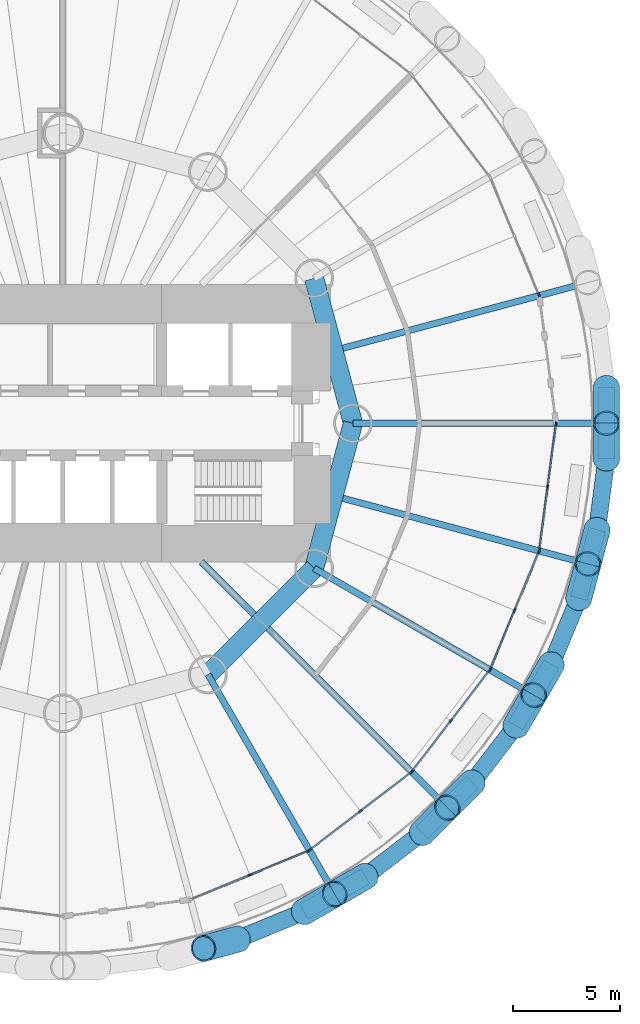
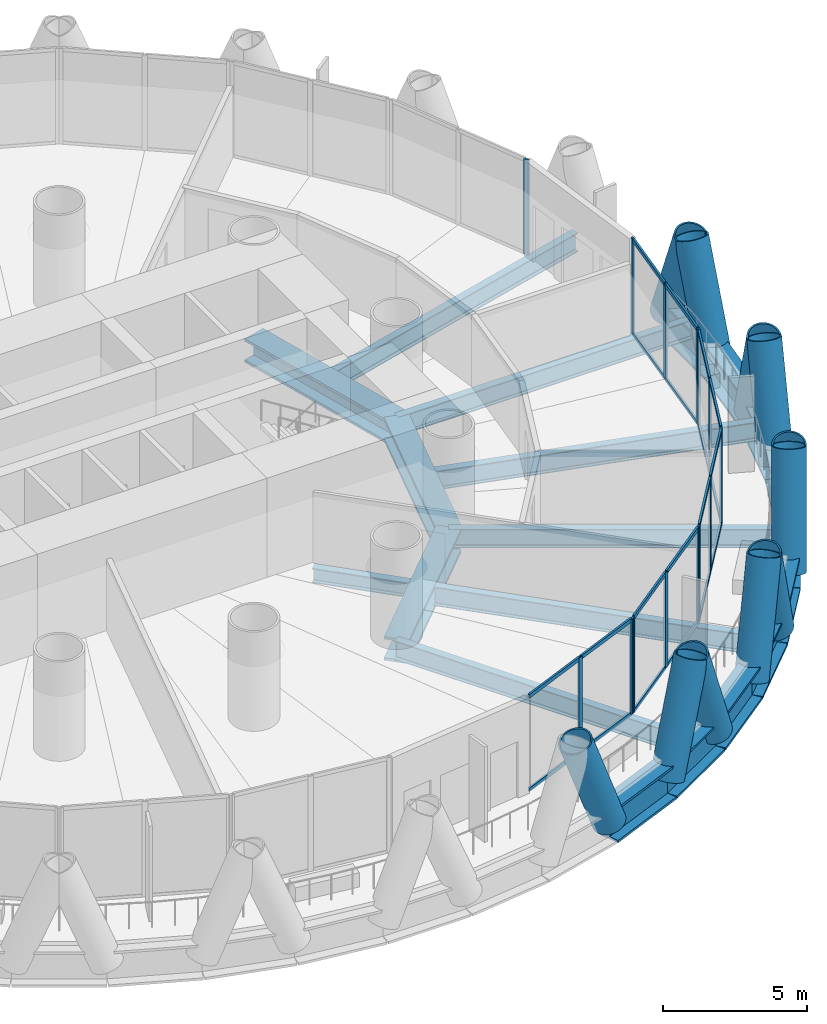
# One storey, part 4 of 16: 46 members, 20 beams, 6 elements without a shape of their own.
"""IFC4 building model written with IfcOpenShell, lengths in metres."""

from ifc_helpers import new_model, si_unit, direction, frame, origin, origin_2d, place, context, subcontext, project, spatial, rectangle, hollow_circle, i_section, extrude, material, material_profile, profile_set, type_object, element, aggregate, save


model = new_model("IFC4")

# Units and contexts
model_context = context("Model", 3, precision=1e-05, world=origin(), true_north=direction((0.0, 1.0)))
body_context = subcontext(model_context, "Body", "Model", "MODEL_VIEW")
ifc_project = project(units=[si_unit("LENGTHUNIT", "METRE"), si_unit("AREAUNIT", "SQUARE_METRE"), si_unit("VOLUMEUNIT", "CUBIC_METRE"), si_unit("PLANEANGLEUNIT", "RADIAN"), si_unit("MASSUNIT", "GRAM", prefix="KILO")], contexts=[model_context])

# Site, building, storey
site_placement = place(None, origin())
site = spatial("IfcSite", under=ifc_project, at=site_placement, CompositionType="ELEMENT")
building_placement = place(site_placement, origin())
building = spatial("IfcBuilding", under=site, at=building_placement, Name="Qaws Media Tower", CompositionType="ELEMENT")
storey_placement = place(building_placement, frame((0.0, 0.0, 105.800048828125)))
storey = spatial("IfcBuildingStorey", under=building, at=storey_placement, Name="L23", CompositionType="ELEMENT", Elevation=105.800048828125)

# Curtain wall, member
ifc_material_1 = material(Name="Aluminium and clear glass", Category="aluminium")
curtain_wall_type = type_object("IfcCurtainWallType", Name="Unitised curtain wall CW-B", PredefinedType="NOTDEFINED", material=ifc_material_1)
curtain_wall_1_placement = place(storey_placement, origin())
curtain_wall_1 = element("IfcCurtainWall", 1, at=curtain_wall_1_placement, inside=storey, type_object=curtain_wall_type, Name="CWB curtain wall L23-02", PredefinedType="NOTDEFINED")
ifc_material_2 = material(Name="Aluminium mullion", Category="aluminium")
ifc_material_profile_1 = material_profile(ifc_material_2, rectangle(XDim=0.080078125, YDim=0.199951171875, at=origin_2d()), Name="80x200")
ifc_profile_set_1 = profile_set([ifc_material_profile_1], Name="Aluminium mullion")
member_type_1 = type_object("IfcMemberType", Name="Curtain wall mullion 80x200", PredefinedType="MULLION", material=ifc_profile_set_1)
member_1_placement = place(storey_placement, frame((82.152587890625, 55.976806640625, 0.0), z_axis=(0.0, 0.0, 1.0), x_axis=(-0.923879516682, -0.382683470581, 0.0)))
member_1 = element("IfcMember", 2, at=member_1_placement, type_object=member_type_1, Name="CWB mullion 1", PredefinedType="MULLION", context=body_context, shape_type="SweptSolid", body=[
    extrude(rectangle(XDim=0.080078125, YDim=0.199951171875, at=origin_2d()), origin(), (0.0, 0.0, 1.0), 4.0400390625),
])
aggregate(curtain_wall_1, [member_1])

# Curtain wall, members
curtain_wall_2_placement = place(storey_placement, origin())
curtain_wall_2 = element("IfcCurtainWall", 3, at=curtain_wall_2_placement, inside=storey, type_object=curtain_wall_type, Name="CWB curtain wall L23-20", PredefinedType="NOTDEFINED")
member_2_placement = place(storey_placement, frame((68.70751953125, 28.978271484375, 0.0), z_axis=(0.0, 0.0, 1.0), x_axis=(-0.382683470581, 0.923879516682, 0.0)))
member_2 = element("IfcMember", 4, at=member_2_placement, type_object=member_type_1, Name="CWB mullion 2", PredefinedType="MULLION", context=body_context, shape_type="SweptSolid", body=[
    extrude(rectangle(XDim=0.080078125, YDim=0.199951171875, at=origin_2d()), origin(), (0.0, 0.0, 1.0), 4.0400390625),
])
member_3_placement = place(storey_placement, frame((71.43798828125, 30.109375, 0.0), z_axis=(0.0, 0.0, 1.0), x_axis=(-0.382683470581, 0.923879516682, 0.0)))
member_3 = element("IfcMember", 5, at=member_3_placement, type_object=member_type_1, Name="CWB mullion 3", PredefinedType="MULLION", context=body_context, shape_type="SweptSolid", body=[
    extrude(rectangle(XDim=0.080078125, YDim=0.199951171875, at=origin_2d()), origin(), (0.0, 0.0, 1.0), 4.0400390625),
])

curtain_wall_3_placement = place(storey_placement, origin())
curtain_wall_3 = element("IfcCurtainWall", 6, at=curtain_wall_3_placement, inside=storey, type_object=curtain_wall_type, Name="CWB curtain wall L23-21", PredefinedType="NOTDEFINED")
member_4_placement = place(storey_placement, frame((71.5068359375, 30.149169921875, 0.0), z_axis=(0.0, 0.0, 1.0), x_axis=(-0.608761358211, 0.793353394616, 0.0)))
member_4 = element("IfcMember", 7, at=member_4_placement, type_object=member_type_1, Name="CWB mullion 1", PredefinedType="MULLION", context=body_context, shape_type="SweptSolid", body=[
    extrude(rectangle(XDim=0.080078125, YDim=0.199951171875, at=origin_2d()), origin(), (0.0, 0.0, 1.0), 4.0400390625),
])
member_5_placement = place(storey_placement, frame((73.8515625, 31.9482421875, 0.0), z_axis=(0.0, 0.0, 1.0), x_axis=(-0.608761358211, 0.793353394616, 0.0)))
member_5 = element("IfcMember", 8, at=member_5_placement, type_object=member_type_1, Name="CWB mullion 2", PredefinedType="MULLION", context=body_context, shape_type="SweptSolid", body=[
    extrude(rectangle(XDim=0.080078125, YDim=0.199951171875, at=origin_2d()), origin(), (0.0, 0.0, 1.0), 4.0400390625),
])
member_6_placement = place(storey_placement, frame((76.1962890625, 33.74755859375, 0.0), z_axis=(0.0, 0.0, 1.0), x_axis=(-0.608761358211, 0.793353394616, 0.0)))
member_6 = element("IfcMember", 9, at=member_6_placement, type_object=member_type_1, Name="CWB mullion 3", PredefinedType="MULLION", context=body_context, shape_type="SweptSolid", body=[
    extrude(rectangle(XDim=0.080078125, YDim=0.199951171875, at=origin_2d()), origin(), (0.0, 0.0, 1.0), 4.0400390625),
])

curtain_wall_4_placement = place(storey_placement, origin())
curtain_wall_4 = element("IfcCurtainWall", 10, at=curtain_wall_4_placement, inside=storey, type_object=curtain_wall_type, Name="CWB curtain wall L23-22", PredefinedType="NOTDEFINED")
member_7_placement = place(storey_placement, frame((76.25244140625, 33.8037109375, 0.0), z_axis=(0.0, 0.0, 1.0), x_axis=(-0.793353394616, 0.608761358211, 0.0)))
member_7 = element("IfcMember", 11, at=member_7_placement, type_object=member_type_1, Name="CWB mullion 1", PredefinedType="MULLION", context=body_context, shape_type="SweptSolid", body=[
    extrude(rectangle(XDim=0.080078125, YDim=0.199951171875, at=origin_2d()), origin(), (0.0, 0.0, 1.0), 4.0400390625),
])
member_8_placement = place(storey_placement, frame((78.0517578125, 36.1484375, 0.0), z_axis=(0.0, 0.0, 1.0), x_axis=(-0.793353394616, 0.608761358211, 0.0)))
member_8 = element("IfcMember", 12, at=member_8_placement, type_object=member_type_1, Name="CWB mullion 2", PredefinedType="MULLION", context=body_context, shape_type="SweptSolid", body=[
    extrude(rectangle(XDim=0.080078125, YDim=0.199951171875, at=origin_2d()), origin(), (0.0, 0.0, 1.0), 4.0400390625),
])
member_9_placement = place(storey_placement, frame((79.850830078125, 38.4931640625, 0.0), z_axis=(0.0, 0.0, 1.0), x_axis=(-0.793353394616, 0.608761358211, 0.0)))
member_9 = element("IfcMember", 13, at=member_9_placement, type_object=member_type_1, Name="CWB mullion 3", PredefinedType="MULLION", context=body_context, shape_type="SweptSolid", body=[
    extrude(rectangle(XDim=0.080078125, YDim=0.199951171875, at=origin_2d()), origin(), (0.0, 0.0, 1.0), 4.0400390625),
])

curtain_wall_5_placement = place(storey_placement, origin())
curtain_wall_5 = element("IfcCurtainWall", 14, at=curtain_wall_5_placement, inside=storey, type_object=curtain_wall_type, Name="CWB curtain wall L23-23", PredefinedType="NOTDEFINED")
member_10_placement = place(storey_placement, frame((79.890625, 38.56201171875, 0.0), z_axis=(0.0, 0.0, 1.0), x_axis=(-0.923879516682, 0.382683470581, 0.0)))
member_10 = element("IfcMember", 15, at=member_10_placement, type_object=member_type_1, Name="CWB mullion 1", PredefinedType="MULLION", context=body_context, shape_type="SweptSolid", body=[
    extrude(rectangle(XDim=0.080078125, YDim=0.199951171875, at=origin_2d()), origin(), (0.0, 0.0, 1.0), 4.0400390625),
])
member_11_placement = place(storey_placement, frame((81.021728515625, 41.29248046875, 0.0), z_axis=(0.0, 0.0, 1.0), x_axis=(-0.923879516682, 0.382683470581, 0.0)))
member_11 = element("IfcMember", 16, at=member_11_placement, type_object=member_type_1, Name="CWB mullion 2", PredefinedType="MULLION", context=body_context, shape_type="SweptSolid", body=[
    extrude(rectangle(XDim=0.080078125, YDim=0.199951171875, at=origin_2d()), origin(), (0.0, 0.0, 1.0), 4.0400390625),
])
member_12_placement = place(storey_placement, frame((82.152587890625, 44.023193359375, 0.0), z_axis=(0.0, 0.0, 1.0), x_axis=(-0.923879516682, 0.382683470581, 0.0)))
member_12 = element("IfcMember", 17, at=member_12_placement, type_object=member_type_1, Name="CWB mullion 3", PredefinedType="MULLION", context=body_context, shape_type="SweptSolid", body=[
    extrude(rectangle(XDim=0.080078125, YDim=0.199951171875, at=origin_2d()), origin(), (0.0, 0.0, 1.0), 4.0400390625),
])

curtain_wall_6_placement = place(storey_placement, origin())
curtain_wall_6 = element("IfcCurtainWall", 18, at=curtain_wall_6_placement, inside=storey, type_object=curtain_wall_type, Name="CWB curtain wall L23-24", PredefinedType="NOTDEFINED")
member_13_placement = place(storey_placement, frame((82.17333984375, 44.099853515625, 0.0), z_axis=(0.0, 0.0, 1.0), x_axis=(-0.991444867324, 0.130526147022, 0.0)))
member_13 = element("IfcMember", 19, at=member_13_placement, type_object=member_type_1, Name="CWB mullion 1", PredefinedType="MULLION", context=body_context, shape_type="SweptSolid", body=[
    extrude(rectangle(XDim=0.080078125, YDim=0.199951171875, at=origin_2d()), origin(), (0.0, 0.0, 1.0), 4.0400390625),
])
member_14_placement = place(storey_placement, frame((82.55908203125, 47.030029296875, 0.0), z_axis=(0.0, 0.0, 1.0), x_axis=(-0.991444867324, 0.130526147022, 0.0)))
member_14 = element("IfcMember", 20, at=member_14_placement, type_object=member_type_1, Name="CWB mullion 2", PredefinedType="MULLION", context=body_context, shape_type="SweptSolid", body=[
    extrude(rectangle(XDim=0.080078125, YDim=0.199951171875, at=origin_2d()), origin(), (0.0, 0.0, 1.0), 4.0400390625),
])
member_15_placement = place(storey_placement, frame((82.94482421875, 49.96044921875, 0.0), z_axis=(0.0, 0.0, 1.0), x_axis=(-0.991444867324, 0.130526147022, 0.0)))
member_15 = element("IfcMember", 21, at=member_15_placement, type_object=member_type_1, Name="CWB mullion 3", PredefinedType="MULLION", context=body_context, shape_type="SweptSolid", body=[
    extrude(rectangle(XDim=0.080078125, YDim=0.199951171875, at=origin_2d()), origin(), (0.0, 0.0, 1.0), 4.0400390625),
])

# Member
ifc_material_3 = material(Name="Aluminium transom", Category="aluminium")
ifc_material_profile_2 = material_profile(ifc_material_3, rectangle(XDim=0.080078125, YDim=0.159912109375, at=origin_2d()), Name="80x160")
ifc_profile_set_2 = profile_set([ifc_material_profile_2], Name="Aluminium transom")
member_type_2 = type_object("IfcMemberType", Name="Curtain wall transom 80x160", PredefinedType="USERDEFINED", material=ifc_profile_set_2)
member_16_placement = place(storey_placement, frame((66.013916015625, 27.862548828125, 0.0400390625), z_axis=(0.92385124577, 0.382751715461, 0.0), x_axis=(-0.382751715461, 0.92385124577, 0.0)))
member_16 = element("IfcMember", 22, at=member_16_placement, type_object=member_type_2, Name="CWB transom 1.1", ObjectType="TRANSOM", PredefinedType="USERDEFINED", context=body_context, shape_type="SweptSolid", body=[
    extrude(rectangle(XDim=0.080078125, YDim=0.159912109375, at=origin_2d()), origin(), (0.0, 0.0, 1.0), 2.87548828125),
])

member_17_placement = place(storey_placement, frame((66.013916015625, 27.862548828125, 4.0), z_axis=(0.92385124577, 0.382751715461, 0.0), x_axis=(-0.382751715461, 0.92385124577, 0.0)))
member_17 = element("IfcMember", 23, at=member_17_placement, type_object=member_type_2, Name="CWB transom 1.2", ObjectType="TRANSOM", PredefinedType="USERDEFINED", context=body_context, shape_type="SweptSolid", body=[
    extrude(rectangle(XDim=0.080078125, YDim=0.159912109375, at=origin_2d()), origin(), (0.0, 0.0, 1.0), 2.87548828125),
])

member_18_placement = place(storey_placement, frame((68.744384765625, 28.99365234375, 0.0400390625), z_axis=(0.923893699507, 0.382649228421, 0.0), x_axis=(-0.382649228421, 0.923893699507, 0.0)))
member_18 = element("IfcMember", 24, at=member_18_placement, type_object=member_type_2, Name="CWB transom 2.1", ObjectType="TRANSOM", PredefinedType="USERDEFINED", context=body_context, shape_type="SweptSolid", body=[
    extrude(rectangle(XDim=0.080078125, YDim=0.159912109375, at=origin_2d()), origin(), (0.0, 0.0, 1.0), 2.87548828125),
])

member_19_placement = place(storey_placement, frame((68.744384765625, 28.99365234375, 4.0), z_axis=(0.923893699507, 0.382649228421, 0.0), x_axis=(-0.382649228421, 0.923893699507, 0.0)))
member_19 = element("IfcMember", 25, at=member_19_placement, type_object=member_type_2, Name="CWB transom 2.2", ObjectType="TRANSOM", PredefinedType="USERDEFINED", context=body_context, shape_type="SweptSolid", body=[
    extrude(rectangle(XDim=0.080078125, YDim=0.159912109375, at=origin_2d()), origin(), (0.0, 0.0, 1.0), 2.87548828125),
])

aggregate(curtain_wall_2, [member_2, member_3, member_16, member_17, member_18, member_19])

member_20_placement = place(storey_placement, frame((71.53857421875, 30.17333984375, 0.0400390625), z_axis=(0.793308372478, 0.608820027723, 0.0), x_axis=(-0.608820027723, 0.793308372478, 0.0)))
member_20 = element("IfcMember", 26, at=member_20_placement, type_object=member_type_2, Name="CWB transom 1.1", ObjectType="TRANSOM", PredefinedType="USERDEFINED", context=body_context, shape_type="SweptSolid", body=[
    extrude(rectangle(XDim=0.080078125, YDim=0.159912109375, at=origin_2d()), origin(), (0.0, 0.0, 1.0), 2.875732421875),
])

member_21_placement = place(storey_placement, frame((71.53857421875, 30.17333984375, 4.0), z_axis=(0.793308372478, 0.608820027723, 0.0), x_axis=(-0.608820027723, 0.793308372478, 0.0)))
member_21 = element("IfcMember", 27, at=member_21_placement, type_object=member_type_2, Name="CWB transom 1.2", ObjectType="TRANSOM", PredefinedType="USERDEFINED", context=body_context, shape_type="SweptSolid", body=[
    extrude(rectangle(XDim=0.080078125, YDim=0.159912109375, at=origin_2d()), origin(), (0.0, 0.0, 1.0), 2.875732421875),
])

member_22_placement = place(storey_placement, frame((73.88330078125, 31.97265625, 0.0400390625), z_axis=(0.793349378115, 0.608766592582, 0.0), x_axis=(-0.608766592582, 0.793349378115, 0.0)))
member_22 = element("IfcMember", 28, at=member_22_placement, type_object=member_type_2, Name="CWB transom 2.1", ObjectType="TRANSOM", PredefinedType="USERDEFINED", context=body_context, shape_type="SweptSolid", body=[
    extrude(rectangle(XDim=0.080078125, YDim=0.159912109375, at=origin_2d()), origin(), (0.0, 0.0, 1.0), 2.87548828125),
])

member_23_placement = place(storey_placement, frame((73.88330078125, 31.97265625, 4.0), z_axis=(0.793349378115, 0.608766592582, 0.0), x_axis=(-0.608766592582, 0.793349378115, 0.0)))
member_23 = element("IfcMember", 29, at=member_23_placement, type_object=member_type_2, Name="CWB transom 2.2", ObjectType="TRANSOM", PredefinedType="USERDEFINED", context=body_context, shape_type="SweptSolid", body=[
    extrude(rectangle(XDim=0.080078125, YDim=0.159912109375, at=origin_2d()), origin(), (0.0, 0.0, 1.0), 2.87548828125),
])

aggregate(curtain_wall_3, [member_4, member_5, member_6, member_20, member_21, member_22, member_23])

member_24_placement = place(storey_placement, frame((76.27685546875, 33.83544921875, 0.0400390625), z_axis=(0.608766592582, 0.793349378115, 0.0), x_axis=(-0.793349378115, 0.608766592582, 0.0)))
member_24 = element("IfcMember", 30, at=member_24_placement, type_object=member_type_2, Name="CWB transom 1.1", ObjectType="TRANSOM", PredefinedType="USERDEFINED", context=body_context, shape_type="SweptSolid", body=[
    extrude(rectangle(XDim=0.080078125, YDim=0.159912109375, at=origin_2d()), origin(), (0.0, 0.0, 1.0), 2.87548828125),
])

member_25_placement = place(storey_placement, frame((76.27685546875, 33.83544921875, 4.0), z_axis=(0.608766592582, 0.793349378115, 0.0), x_axis=(-0.793349378115, 0.608766592582, 0.0)))
member_25 = element("IfcMember", 31, at=member_25_placement, type_object=member_type_2, Name="CWB transom 1.2", ObjectType="TRANSOM", PredefinedType="USERDEFINED", context=body_context, shape_type="SweptSolid", body=[
    extrude(rectangle(XDim=0.080078125, YDim=0.159912109375, at=origin_2d()), origin(), (0.0, 0.0, 1.0), 2.87548828125),
])

member_26_placement = place(storey_placement, frame((78.075927734375, 36.18017578125, 0.0400390625), z_axis=(0.608820027723, 0.793308372478, 0.0), x_axis=(-0.793308372478, 0.608820027723, 0.0)))
member_26 = element("IfcMember", 32, at=member_26_placement, type_object=member_type_2, Name="CWB transom 2.1", ObjectType="TRANSOM", PredefinedType="USERDEFINED", context=body_context, shape_type="SweptSolid", body=[
    extrude(rectangle(XDim=0.080078125, YDim=0.159912109375, at=origin_2d()), origin(), (0.0, 0.0, 1.0), 2.875732421875),
])

member_27_placement = place(storey_placement, frame((78.075927734375, 36.18017578125, 4.0), z_axis=(0.608820027723, 0.793308372478, 0.0), x_axis=(-0.793308372478, 0.608820027723, 0.0)))
member_27 = element("IfcMember", 33, at=member_27_placement, type_object=member_type_2, Name="CWB transom 2.2", ObjectType="TRANSOM", PredefinedType="USERDEFINED", context=body_context, shape_type="SweptSolid", body=[
    extrude(rectangle(XDim=0.080078125, YDim=0.159912109375, at=origin_2d()), origin(), (0.0, 0.0, 1.0), 2.875732421875),
])

aggregate(curtain_wall_4, [member_7, member_8, member_9, member_24, member_25, member_26, member_27])

member_28_placement = place(storey_placement, frame((79.906005859375, 38.598876953125, 0.0400390625), z_axis=(0.382649228421, 0.923893699507, 0.0), x_axis=(-0.923893699507, 0.382649228421, 0.0)))
member_28 = element("IfcMember", 34, at=member_28_placement, type_object=member_type_2, Name="CWB transom 1.1", ObjectType="TRANSOM", PredefinedType="USERDEFINED", context=body_context, shape_type="SweptSolid", body=[
    extrude(rectangle(XDim=0.080078125, YDim=0.159912109375, at=origin_2d()), origin(), (0.0, 0.0, 1.0), 2.87548828125),
])

member_29_placement = place(storey_placement, frame((79.906005859375, 38.598876953125, 4.0), z_axis=(0.382649228421, 0.923893699507, 0.0), x_axis=(-0.923893699507, 0.382649228421, 0.0)))
member_29 = element("IfcMember", 35, at=member_29_placement, type_object=member_type_2, Name="CWB transom 1.2", ObjectType="TRANSOM", PredefinedType="USERDEFINED", context=body_context, shape_type="SweptSolid", body=[
    extrude(rectangle(XDim=0.080078125, YDim=0.159912109375, at=origin_2d()), origin(), (0.0, 0.0, 1.0), 2.87548828125),
])

member_30_placement = place(storey_placement, frame((81.036865234375, 41.32958984375, 0.0400390625), z_axis=(0.382751715461, 0.92385124577, 0.0), x_axis=(-0.92385124577, 0.382751715461, 0.0)))
member_30 = element("IfcMember", 36, at=member_30_placement, type_object=member_type_2, Name="CWB transom 2.1", ObjectType="TRANSOM", PredefinedType="USERDEFINED", context=body_context, shape_type="SweptSolid", body=[
    extrude(rectangle(XDim=0.080078125, YDim=0.159912109375, at=origin_2d()), origin(), (0.0, 0.0, 1.0), 2.87548828125),
])

member_31_placement = place(storey_placement, frame((81.036865234375, 41.32958984375, 4.0), z_axis=(0.382751715461, 0.92385124577, 0.0), x_axis=(-0.92385124577, 0.382751715461, 0.0)))
member_31 = element("IfcMember", 37, at=member_31_placement, type_object=member_type_2, Name="CWB transom 2.2", ObjectType="TRANSOM", PredefinedType="USERDEFINED", context=body_context, shape_type="SweptSolid", body=[
    extrude(rectangle(XDim=0.080078125, YDim=0.159912109375, at=origin_2d()), origin(), (0.0, 0.0, 1.0), 2.87548828125),
])

aggregate(curtain_wall_5, [member_10, member_11, member_12, member_28, member_29, member_30, member_31])

member_32_placement = place(storey_placement, frame((82.178466796875, 44.139404296875, 0.0400390625), z_axis=(0.130489651052, 0.991449671425, 0.0), x_axis=(-0.991449671425, 0.130489651052, 0.0)))
member_32 = element("IfcMember", 38, at=member_32_placement, type_object=member_type_2, Name="CWB transom 1.1", ObjectType="TRANSOM", PredefinedType="USERDEFINED", context=body_context, shape_type="SweptSolid", body=[
    extrude(rectangle(XDim=0.080078125, YDim=0.159912109375, at=origin_2d()), origin(), (0.0, 0.0, 1.0), 2.875732421875),
])

member_33_placement = place(storey_placement, frame((82.178466796875, 44.139404296875, 4.0), z_axis=(0.130489651052, 0.991449671425, 0.0), x_axis=(-0.991449671425, 0.130489651052, 0.0)))
member_33 = element("IfcMember", 39, at=member_33_placement, type_object=member_type_2, Name="CWB transom 1.2", ObjectType="TRANSOM", PredefinedType="USERDEFINED", context=body_context, shape_type="SweptSolid", body=[
    extrude(rectangle(XDim=0.080078125, YDim=0.159912109375, at=origin_2d()), origin(), (0.0, 0.0, 1.0), 2.875732421875),
])

member_34_placement = place(storey_placement, frame((82.564208984375, 47.06982421875, 0.0400390625), z_axis=(0.130500635675, 0.991448225622, 0.0), x_axis=(-0.991448225622, 0.130500635675, 0.0)))
member_34 = element("IfcMember", 40, at=member_34_placement, type_object=member_type_2, Name="CWB transom 2.1", ObjectType="TRANSOM", PredefinedType="USERDEFINED", context=body_context, shape_type="SweptSolid", body=[
    extrude(rectangle(XDim=0.080078125, YDim=0.159912109375, at=origin_2d()), origin(), (0.0, 0.0, 1.0), 2.87548828125),
])

member_35_placement = place(storey_placement, frame((82.564208984375, 47.06982421875, 4.0), z_axis=(0.130500635675, 0.991448225622, 0.0), x_axis=(-0.991448225622, 0.130500635675, 0.0)))
member_35 = element("IfcMember", 41, at=member_35_placement, type_object=member_type_2, Name="CWB transom 2.2", ObjectType="TRANSOM", PredefinedType="USERDEFINED", context=body_context, shape_type="SweptSolid", body=[
    extrude(rectangle(XDim=0.080078125, YDim=0.159912109375, at=origin_2d()), origin(), (0.0, 0.0, 1.0), 2.87548828125),
])

aggregate(curtain_wall_6, [member_13, member_14, member_15, member_32, member_33, member_34, member_35])

# Members
ifc_material_4 = material(Name="Steel S460", Category="steel")
ifc_material_profile_3 = material_profile(ifc_material_4, hollow_circle(Radius=0.609619140625, WallThickness=0.06005859375, at=origin_2d()), Name="CHS 1219x60")
ifc_profile_set_3 = profile_set([ifc_material_profile_3], Name="Steel S460")
member_type_3 = type_object("IfcMemberType", Name="Diagrid member CHS 1219x60", PredefinedType="USERDEFINED", material=ifc_profile_set_3)
for number, where, z_axis, x_axis, name in (
    (42, (85.295654296875, 51.657958984375, -0.91015625), (0.000973192487, -0.367163898888, 0.930155752683), (0.999996487266, 0.002650557616, 0.0), "DG1 diagrid L23 B01"),
    (43, (71.2119140625, 27.26416015625, -0.91015625), (0.318447761957, 0.18279658458, 0.930148607251), (-0.49783470429, 0.867271933827, 0.0), "DG1 diagrid L23 A20"),
    (44, (68.1484375, 25.995361328125, -0.91015625), (-0.354403929954, -0.095967502009, 0.930154875809), (0.261372603831, -0.965237982037, 0.0), "DG1 diagrid L23 B20"),
    (45, (76.71435546875, 30.94091796875, -0.91015625), (0.260328708359, 0.2589229874, 0.930154745298), (-0.705189913789, 0.709018466255, 0.0), "DG1 diagrid L23 A21"),
    (46, (74.083740234375, 28.92236328125, -0.91015625), (-0.317526884372, -0.184417538326, 0.930143456279), (0.502231420014, -0.864733254102, 0.0), "DG1 diagrid L23 B21"),
    (47, (81.07763671875, 35.916259765625, -0.91015625), (0.184417538326, 0.317526884372, 0.930143456279), (-0.864733254102, 0.502231420014, 0.0), "DG1 diagrid L23 A22"),
    (48, (79.05908203125, 33.28564453125, -0.91015625), (-0.2589229874, -0.260328708359, 0.930154745298), (0.709018466255, -0.705189913789, 0.0), "DG1 diagrid L23 B22"),
    (49, (84.004638671875, 41.8515625, -0.91015625), (0.095967502009, 0.354403929954, 0.930154875809), (-0.965237982037, 0.261372603831, 0.0), "DG1 diagrid L23 A23"),
    (50, (82.73583984375, 38.7880859375, -0.91015625), (-0.18279658458, -0.318447761957, 0.930148607251), (0.867271933827, -0.49783470429, 0.0), "DG1 diagrid L23 B23"),
    (51, (85.295654296875, 48.342041015625, -0.91015625), (0.000973192487, 0.367163898888, 0.930155752683), (-0.999996487266, 0.002650557616, 0.0), "DG1 diagrid L23 A24"),
    (52, (84.86279296875, 45.054443359375, -0.91015625), (-0.094075866241, -0.354893095406, 0.93016161081), (0.966615169187, -0.256232540278, 0.0), "DG1 diagrid L23 B24"),
):
    element("IfcMember", number, at=place(storey_placement, frame(where, z_axis=z_axis, x_axis=x_axis)), inside=storey, type_object=member_type_3, Name=name, ObjectType="DIAGRID", PredefinedType="USERDEFINED", context=body_context, shape_type="SweptSolid", body=[
        extrude(hollow_circle(Radius=0.609619140625, WallThickness=0.06005859375, at=origin_2d()), origin(), (0.0, 0.0, 1.0), 4.515625),
    ])

# Beams
ifc_material_5 = material(Name="Steel S460", Category="steel")
ifc_material_profile_4 = material_profile(ifc_material_5, i_section(OverallWidth=0.800048828125, OverallDepth=1.5, WebThickness=0.0400390625, FlangeThickness=0.10009765625, at=origin_2d()), Name="PG 1500x800")
ifc_profile_set_4 = profile_set([ifc_material_profile_4], Name="Steel S460")
beam_type_1 = type_object("IfcBeamType", Name="Edge ring beam PG 1500x800", PredefinedType="BEAM", material=ifc_profile_set_4)
beam_1_placement = place(storey_placement, frame((68.1484375, 25.995361328125, -0.91015625), z_axis=(0.923893895651, 0.382648754837, 0.0), x_axis=(-0.382648754837, 0.923893895651, 0.0)))
element("IfcBeam", 53, at=beam_1_placement, inside=storey, type_object=beam_type_1, Name="RB7 edge ring beam L23-39", PredefinedType="BEAM", context=body_context, shape_type="SweptSolid", body=[
    extrude(i_section(OverallWidth=0.800048828125, OverallDepth=1.5, WebThickness=0.0400390625, FlangeThickness=0.10009765625, at=origin_2d()), origin(), (0.0, 0.0, 1.0), 3.31591796875),
])
beam_2_placement = place(storey_placement, frame((71.2119140625, 27.26416015625, -0.91015625), z_axis=(0.866005358171, 0.500034718414, 0.0), x_axis=(-0.500034718414, 0.866005358171, 0.0)))
element("IfcBeam", 54, at=beam_2_placement, inside=storey, type_object=beam_type_1, Name="RB7 edge ring beam L23-40", PredefinedType="BEAM", context=body_context, shape_type="SweptSolid", body=[
    extrude(i_section(OverallWidth=0.800048828125, OverallDepth=1.5, WebThickness=0.0400390625, FlangeThickness=0.10009765625, at=origin_2d()), origin(), (0.0, 0.0, 1.0), 3.316162109375),
])
for number, where, z_axis, x_axis, name in (
    (55, (74.083740234375, 28.92236328125, -0.91015625), (0.793351501673, 0.608763825135, 0.0), (-0.608763825135, 0.793351501673, 0.0), "RB7 edge ring beam L23-41"),
    (56, (76.71435546875, 30.94091796875, -0.91015625), (0.707106781187, 0.707106781187, 0.0), (-0.707106781187, 0.707106781187, 0.0), "RB7 edge ring beam L23-42"),
    (57, (79.05908203125, 33.28564453125, -0.91015625), (0.608763825135, 0.793351501673, 0.0), (-0.793351501673, 0.608763825135, 0.0), "RB7 edge ring beam L23-43"),
):
    element("IfcBeam", number, at=place(storey_placement, frame(where, z_axis=z_axis, x_axis=x_axis)), inside=storey, type_object=beam_type_1, Name=name, PredefinedType="BEAM", context=body_context, shape_type="SweptSolid", body=[
        extrude(i_section(OverallWidth=0.800048828125, OverallDepth=1.5, WebThickness=0.0400390625, FlangeThickness=0.10009765625, at=origin_2d()), origin(), (0.0, 0.0, 1.0), 3.31591796875),
    ])
beam_3_placement = place(storey_placement, frame((81.07763671875, 35.916259765625, -0.91015625), z_axis=(0.500034718414, 0.866005358171, 0.0), x_axis=(-0.866005358171, 0.500034718414, 0.0)))
element("IfcBeam", 58, at=beam_3_placement, inside=storey, type_object=beam_type_1, Name="RB7 edge ring beam L23-44", PredefinedType="BEAM", context=body_context, shape_type="SweptSolid", body=[
    extrude(i_section(OverallWidth=0.800048828125, OverallDepth=1.5, WebThickness=0.0400390625, FlangeThickness=0.10009765625, at=origin_2d()), origin(), (0.0, 0.0, 1.0), 3.316162109375),
])
for number, where, z_axis, x_axis, name in (
    (59, (82.73583984375, 38.7880859375, -0.91015625), (0.382648754837, 0.923893895651, 0.0), (-0.923893895651, 0.382648754837, 0.0), "RB7 edge ring beam L23-45"),
    (60, (84.004638671875, 41.8515625, -0.91015625), (0.258803557142, 0.965929976143, 0.0), (-0.965929976143, 0.258803557142, 0.0), "RB7 edge ring beam L23-46"),
    (61, (84.86279296875, 45.054443359375, -0.91015625), (0.130538312051, 0.991443265692, 0.0), (-0.991443265692, 0.130538312051, 0.0), "RB7 edge ring beam L23-47"),
    (62, (85.295654296875, 48.342041015625, -0.91015625), (0.0, 1.0, 0.0), (-1.0, 0.0, 0.0), "RB7 edge ring beam L23-48"),
):
    element("IfcBeam", number, at=place(storey_placement, frame(where, z_axis=z_axis, x_axis=x_axis)), inside=storey, type_object=beam_type_1, Name=name, PredefinedType="BEAM", context=body_context, shape_type="SweptSolid", body=[
        extrude(i_section(OverallWidth=0.800048828125, OverallDepth=1.5, WebThickness=0.0400390625, FlangeThickness=0.10009765625, at=origin_2d()), origin(), (0.0, 0.0, 1.0), 3.31591796875),
    ])
ifc_material_6 = material(Name="Steel S460", Category="steel")
ifc_material_profile_5 = material_profile(ifc_material_6, i_section(OverallWidth=0.89990234375, OverallDepth=1.0, WebThickness=0.044921875, FlangeThickness=0.110107421875, at=origin_2d()), Name="PG 1000x900")
ifc_profile_set_5 = profile_set([ifc_material_profile_5], Name="Steel S460")
beam_type_2 = type_object("IfcBeamType", Name="Inner ring girder PG 1000x900", PredefinedType="BEAM", material=ifc_profile_set_5)
beam_4_placement = place(storey_placement, frame((73.5, 50.0, -0.66015625), z_axis=(-0.258810593767, 0.965928090778, 0.0), x_axis=(-0.965928090778, -0.258810593767, 0.0)))
element("IfcBeam", 63, at=beam_4_placement, inside=storey, type_object=beam_type_2, Name="B3 inner ring beam L23 I01-I02", PredefinedType="BEAM", context=body_context, shape_type="SweptSolid", body=[
    extrude(i_section(OverallWidth=0.89990234375, OverallDepth=1.0, WebThickness=0.044921875, FlangeThickness=0.110107421875, at=origin_2d()), origin(), (0.0, 0.0, 1.0), 6.988037109375),
])
beam_5_placement = place(storey_placement, frame((66.75, 38.30859375, -0.66015625), z_axis=(0.707106781187, 0.707106781187, 0.0), x_axis=(-0.707106781187, 0.707106781187, 0.0)))
element("IfcBeam", 64, at=beam_5_placement, inside=storey, type_object=beam_type_2, Name="B3 inner ring beam L23 I11-I12", PredefinedType="BEAM", context=body_context, shape_type="SweptSolid", body=[
    extrude(i_section(OverallWidth=0.89990234375, OverallDepth=1.0, WebThickness=0.044921875, FlangeThickness=0.110107421875, at=origin_2d()), origin(), (0.0, 0.0, 1.0), 6.98828125),
])
beam_6_placement = place(storey_placement, frame((71.69140625, 43.25, -0.66015625), z_axis=(0.258810593767, 0.965928090778, 0.0), x_axis=(-0.965928090778, 0.258810593767, 0.0)))
element("IfcBeam", 65, at=beam_6_placement, inside=storey, type_object=beam_type_2, Name="B3 inner ring beam L23 I12-I01", PredefinedType="BEAM", context=body_context, shape_type="SweptSolid", body=[
    extrude(i_section(OverallWidth=0.89990234375, OverallDepth=1.0, WebThickness=0.044921875, FlangeThickness=0.110107421875, at=origin_2d()), origin(), (0.0, 0.0, 1.0), 6.988037109375),
])
ifc_material_7 = material(Name="Steel S355", Category="steel")
ifc_material_profile_6 = material_profile(ifc_material_7, i_section(OverallWidth=0.304931640625, OverallDepth=0.6201171875, WebThickness=0.02099609375, FlangeThickness=0.0400390625, FilletRadius=0.027099609375, at=origin_2d()), Name="HE 600 M")
ifc_profile_set_6 = profile_set([ifc_material_profile_6], Name="Steel S355")
beam_type_3 = type_object("IfcBeamType", Name="Radial beam HE 600 M, core side", PredefinedType="BEAM", material=ifc_profile_set_6)
beam_7_placement = place(storey_placement, frame((66.449951171875, 43.550048828125, -0.469970703125), z_axis=(0.707106781187, -0.707106781187, 0.0), x_axis=(0.707106781187, 0.707106781187, 0.0)))
element("IfcBeam", 66, at=beam_7_placement, inside=storey, type_object=beam_type_3, Name="B2 radial beam L23 22", PredefinedType="BEAM", context=body_context, shape_type="SweptSolid", body=[
    extrude(i_section(OverallWidth=0.304931640625, OverallDepth=0.6201171875, WebThickness=0.02099609375, FlangeThickness=0.0400390625, FilletRadius=0.027099609375, at=origin_2d()), origin(), (0.0, 0.0, 1.0), 3.468505859375),
])
ifc_material_8 = material(Name="Steel S355", Category="steel")
ifc_material_profile_7 = material_profile(ifc_material_8, i_section(OverallWidth=0.300048828125, OverallDepth=0.800048828125, WebThickness=0.017578125, FlangeThickness=0.032958984375, FilletRadius=0.030029296875, at=origin_2d()), Name="HE 800 B")
ifc_profile_set_7 = profile_set([ifc_material_profile_7], Name="Steel S355")
beam_type_4 = type_object("IfcBeamType", Name="Radial beam HE 800 B", PredefinedType="BEAM", material=ifc_profile_set_7)
beam_8_placement = place(storey_placement, frame((73.5, 50.0, -0.56005859375), z_axis=(1.0, 0.0, 0.0), x_axis=(0.0, 1.0, 0.0)))
element("IfcBeam", 67, at=beam_8_placement, inside=storey, type_object=beam_type_4, Name="B1 radial beam L23 01", PredefinedType="BEAM", context=body_context, shape_type="SweptSolid", body=[
    extrude(i_section(OverallWidth=0.300048828125, OverallDepth=0.800048828125, WebThickness=0.017578125, FlangeThickness=0.032958984375, FilletRadius=0.030029296875, at=origin_2d()), origin(), (0.0, 0.0, 1.0), 11.795654296875),
])
beam_9_placement = place(storey_placement, frame((73.0302734375, 53.491455078125, -0.56005859375), z_axis=(0.965923959046, 0.258826013647, 0.0), x_axis=(-0.258826013647, 0.965923959046, 0.0)))
element("IfcBeam", 68, at=beam_9_placement, inside=storey, type_object=beam_type_4, Name="B1 radial beam L23 02", PredefinedType="BEAM", context=body_context, shape_type="SweptSolid", body=[
    extrude(i_section(OverallWidth=0.300048828125, OverallDepth=0.800048828125, WebThickness=0.017578125, FlangeThickness=0.032958984375, FilletRadius=0.030029296875, at=origin_2d()), origin(), (0.0, 0.0, 1.0), 11.805908203125),
])
beam_10_placement = place(storey_placement, frame((66.75, 38.30859375, -0.56005859375), z_axis=(0.500007917304, -0.866020832678, 0.0), x_axis=(0.866020832678, 0.500007917304, 0.0)))
element("IfcBeam", 69, at=beam_10_placement, inside=storey, type_object=beam_type_4, Name="B1 radial beam L23 21", PredefinedType="BEAM", context=body_context, shape_type="SweptSolid", body=[
    extrude(i_section(OverallWidth=0.300048828125, OverallDepth=0.800048828125, WebThickness=0.017578125, FlangeThickness=0.032958984375, FilletRadius=0.030029296875, at=origin_2d()), origin(), (0.0, 0.0, 1.0), 11.795654296875),
])
beam_11_placement = place(storey_placement, frame((69.538818359375, 40.461181640625, -0.56005859375), z_axis=(0.707106781187, -0.707106781187, 0.0), x_axis=(0.707106781187, 0.707106781187, 0.0)))
element("IfcBeam", 70, at=beam_11_placement, inside=storey, type_object=beam_type_4, Name="B1 radial beam L23 22", PredefinedType="BEAM", context=body_context, shape_type="SweptSolid", body=[
    extrude(i_section(OverallWidth=0.300048828125, OverallDepth=0.800048828125, WebThickness=0.017578125, FlangeThickness=0.032958984375, FilletRadius=0.030029296875, at=origin_2d()), origin(), (0.0, 0.0, 1.0), 11.8056640625),
])
beam_12_placement = place(storey_placement, frame((71.69140625, 43.25, -0.56005859375), z_axis=(0.866020832678, -0.500007917304, 0.0), x_axis=(0.500007917304, 0.866020832678, 0.0)))
element("IfcBeam", 71, at=beam_12_placement, inside=storey, type_object=beam_type_4, Name="B1 radial beam L23 23", PredefinedType="BEAM", context=body_context, shape_type="SweptSolid", body=[
    extrude(i_section(OverallWidth=0.300048828125, OverallDepth=0.800048828125, WebThickness=0.017578125, FlangeThickness=0.032958984375, FilletRadius=0.030029296875, at=origin_2d()), origin(), (0.0, 0.0, 1.0), 11.795654296875),
])
beam_13_placement = place(storey_placement, frame((73.0302734375, 46.508544921875, -0.56005859375), z_axis=(0.965923959046, -0.258826013647, 0.0), x_axis=(0.258826013647, 0.965923959046, 0.0)))
element("IfcBeam", 72, at=beam_13_placement, inside=storey, type_object=beam_type_4, Name="B1 radial beam L23 24", PredefinedType="BEAM", context=body_context, shape_type="SweptSolid", body=[
    extrude(i_section(OverallWidth=0.300048828125, OverallDepth=0.800048828125, WebThickness=0.017578125, FlangeThickness=0.032958984375, FilletRadius=0.030029296875, at=origin_2d()), origin(), (0.0, 0.0, 1.0), 11.805908203125),
])

save(model, "model.ifc")
